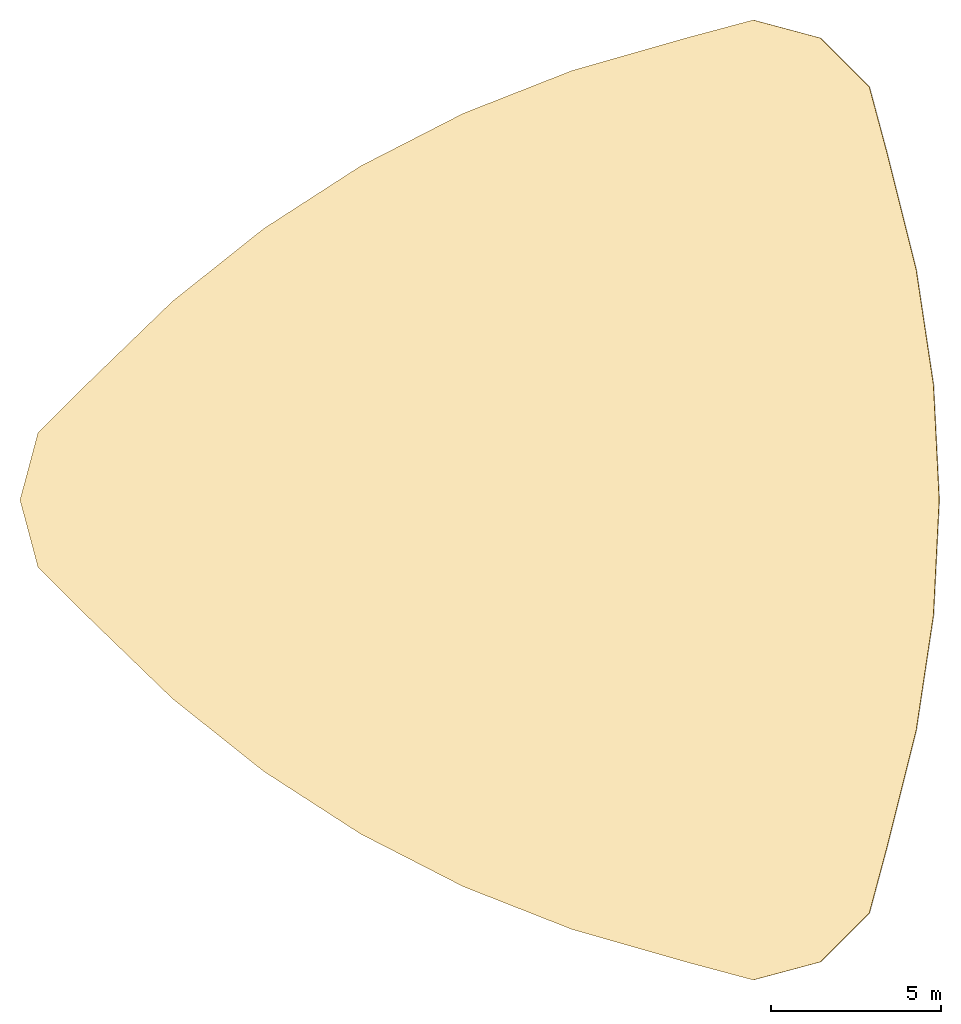
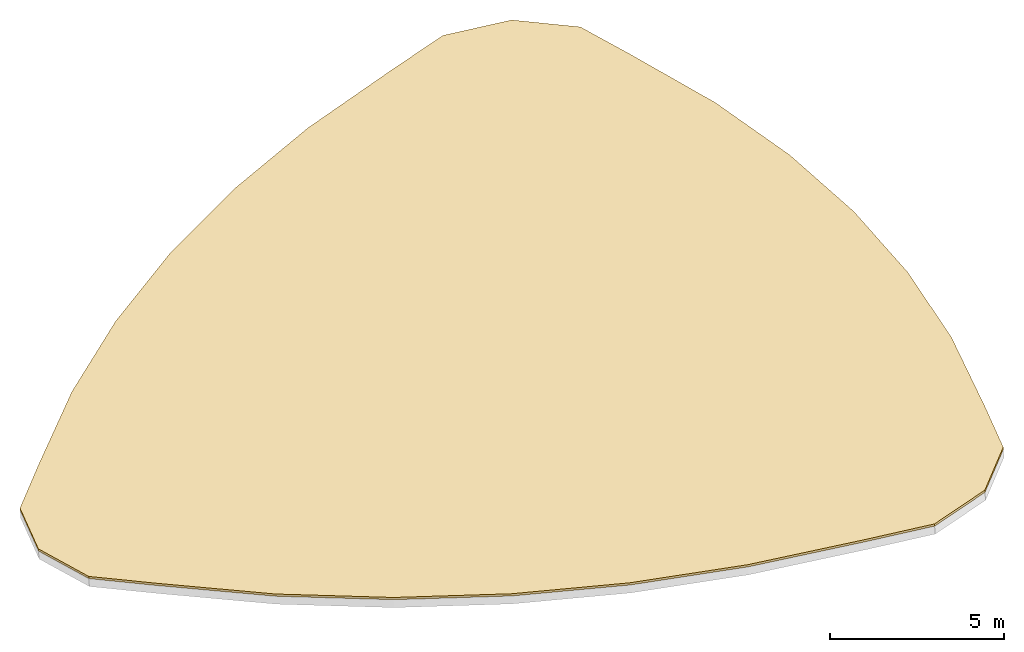
# One storey, part 2 of 2: 1 covering.
"""IFC4 building model written with IfcOpenShell, lengths in metres."""

from ifc_helpers import new_model, si_unit, direction, frame, origin, place, context, subcontext, project, spatial, polyline, outline, extrude, material, layer, layer_set, type_object, element, save


model = new_model("IFC4")

# Units and contexts
model_context = context("Model", 3, precision=1e-05, world=origin(), true_north=direction((0.0, 1.0)))
body_context = subcontext(model_context, "Body", "Model", "MODEL_VIEW")
ifc_project = project(units=[si_unit("LENGTHUNIT", "METRE"), si_unit("AREAUNIT", "SQUARE_METRE"), si_unit("VOLUMEUNIT", "CUBIC_METRE"), si_unit("PLANEANGLEUNIT", "RADIAN"), si_unit("MASSUNIT", "GRAM", prefix="KILO")], contexts=[model_context])

# Site, building, storey
site_placement = place(None, origin())
site = spatial("IfcSite", under=ifc_project, at=site_placement, CompositionType="ELEMENT")
building_placement = place(site_placement, origin())
building = spatial("IfcBuilding", under=site, at=building_placement, Name="Qafzar Sky-Pleat Residences", CompositionType="ELEMENT")
storey_placement = place(building_placement, frame((0.0, 0.0, 279.0)))
storey = spatial("IfcBuildingStorey", under=building, at=storey_placement, Name="Roof Apex", CompositionType="ELEMENT", Elevation=279.0)

# Covering
ifc_material = material(Name="Inverted elastomeric waterproofing membrane and gravel ballast")
ifc_layer = layer(ifc_material, 0.080078125)
ifc_layer_set = layer_set([ifc_layer], Name="Inverted elastomeric waterproofing membrane and gravel ballast")
covering_type = type_object("IfcCoveringType", Name="COV-ROOF-MEMB", PredefinedType="ROOFING", material=ifc_layer_set)
covering_placement = place(storey_placement, frame((16.885498046875, 29.41552734375, -1.511962890625), z_axis=(-0.087155230167, 0.0, 0.996194742937), x_axis=(-0.705761096125, -0.705754022396, -0.061745729148)))
element("IfcCovering", 1, at=covering_placement, inside=storey, type_object=covering_type, Name="Crown Glass-Point Apex Waterproofing Roofing", PredefinedType="ROOFING", context=body_context, shape_type="SweptSolid", body=[
    extrude(outline(polyline([(0.0, 0.0), (2.045476851443979, -1.2663481374630692e-16), (3.81288705498838, 1.0227395759564692), (4.8288631985604304, 2.7940463092787775), (4.821044322911868, 4.8395082167649), (4.74887627959092, 8.339915602998245), (4.348755957667964, 11.752114846015148), (3.621215341468276, 15.076609818060877), (2.5658796752537993, 18.31308462714193), (1.182606803351233, 21.461680886573337), (-0.5281014374689692, 24.522587892161088), (-1.5575870706999935, 26.29387960835589), (-3.3328161498929574, 27.31660193988554), (-5.378277926696032, 27.316586922758034), (-7.1460478130645715, 26.293861048374865), (-10.140943947715709, 24.492779936435447), (-12.894699542812328, 22.451478294398377), (-15.407786287570048, 20.170081402896965), (-17.679560187818137, 17.648292333727852), (-19.710320631271077, 14.886753941342915), (-21.499940535169504, 11.884995018860327), (-22.515901602373663, 10.113328657716204), (-22.508097801366006, 8.067881767357587), (-21.478597093494077, 6.29657503403528), (-19.70338308894202, 5.273867719633133), (-16.63595922987278, 3.574872354460212), (-13.482098385767129, 2.20364515991358), (-10.241613180483016, 1.1606886926842952), (-6.914361458347152, 0.44586133945732187), (-3.5006576765339683, 0.05878713972912902), (0.0, 0.0)])), origin(), (0.0, 0.0, -1.0), 0.080078125),
])

save(model, "model.ifc")
